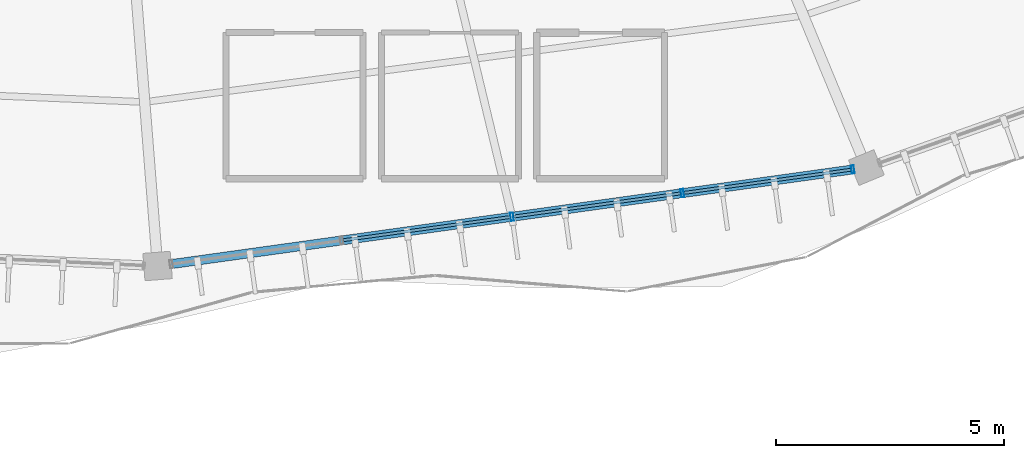
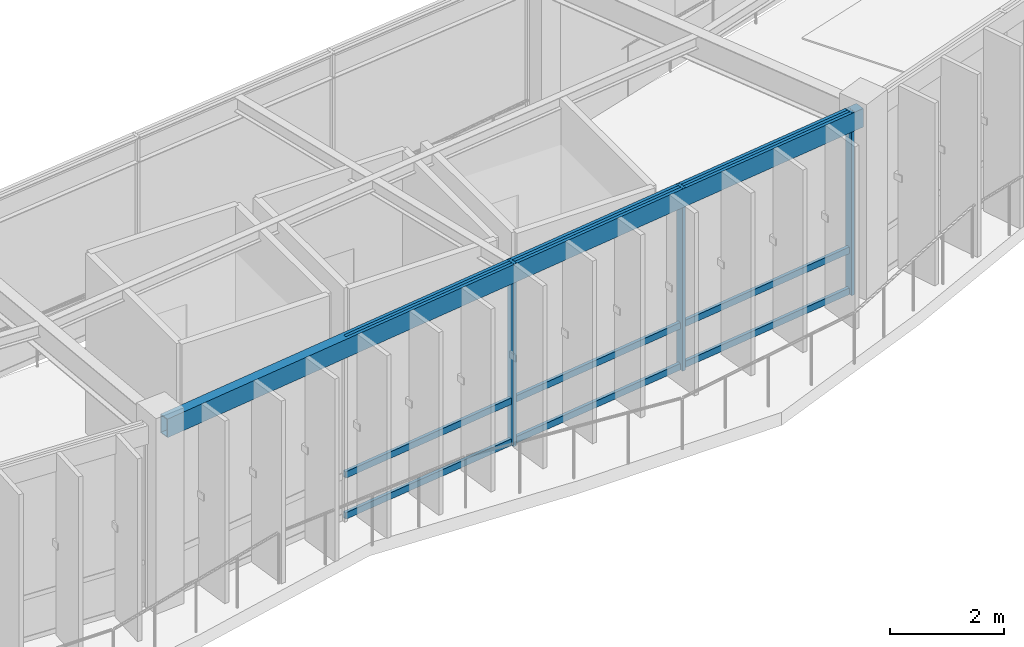
# One storey, part 11 of 83: 12 members, 1 beam, 1 element without a shape of its own.
"""IFC4 building model written with IfcOpenShell, lengths in metres."""

from ifc_helpers import new_model, si_unit, direction, frame, origin, origin_2d, place, context, subcontext, project, spatial, hollow_rectangle, extrude, material, material_profile, profile_set, type_object, element, aggregate, save


model = new_model("IFC4")

# Units and contexts
model_context = context("Model", 3, precision=1e-05, world=origin(), true_north=direction((0.0, 1.0)))
body_context = subcontext(model_context, "Body", "Model", "MODEL_VIEW")
ifc_project = project(units=[si_unit("LENGTHUNIT", "METRE"), si_unit("AREAUNIT", "SQUARE_METRE"), si_unit("VOLUMEUNIT", "CUBIC_METRE"), si_unit("PLANEANGLEUNIT", "RADIAN"), si_unit("MASSUNIT", "GRAM", prefix="KILO"), si_unit("THERMODYNAMICTEMPERATUREUNIT", "KELVIN"), si_unit("POWERUNIT", "WATT")], contexts=[model_context])

# Site, building, storey
site_placement = place(None, origin())
site = spatial("IfcSite", under=ifc_project, at=site_placement, CompositionType="ELEMENT")
building_placement = place(site_placement, origin())
building = spatial("IfcBuilding", under=site, at=building_placement, Name="Darbajah Civic Hall", CompositionType="ELEMENT")
storey_placement = place(building_placement, frame((0.0, 0.0, 18.0)))
storey = spatial("IfcBuildingStorey", under=building, at=storey_placement, Name="L04", CompositionType="ELEMENT", Elevation=18.0)

# Curtain wall, members
ifc_material_1 = material(Name="Anodised Bronze Aluminium and Low-E Glazing", Category="aluminium")
curtain_wall_type = type_object("IfcCurtainWallType", Name="Unitised Curtain Wall CW-72 15100x3900", PredefinedType="USERDEFINED", material=ifc_material_1)
curtain_wall_placement = place(storey_placement, origin())
curtain_wall = element("IfcCurtainWall", 1, at=curtain_wall_placement, inside=storey, type_object=curtain_wall_type, Name="L04 unitised curtain wall CW-V1O-L04-15", ObjectType="UNITISED CURTAIN WALL", PredefinedType="USERDEFINED")
ifc_material_2 = material(Name="Anodised Bronze Aluminium", Category="aluminium")
ifc_material_profile_1 = material_profile(ifc_material_2, hollow_rectangle(XDim=0.06494140625, YDim=0.179931640625, WallThickness=0.00390625, at=origin_2d()), Name="ALU MULLION 65x180")
ifc_profile_set_1 = profile_set([ifc_material_profile_1], Name="Anodised Bronze Aluminium")
member_type_1 = type_object("IfcMemberType", Name="ALU MULLION 65x180", PredefinedType="MULLION", material=ifc_profile_set_1)
member_1_placement = place(storey_placement, frame((100.859130859375, 61.46826171875, 0.0), z_axis=(0.0, 0.0, 1.0), x_axis=(0.990485459553, 0.137617420457, 0.0)))
member_1 = element("IfcMember", 2, at=member_1_placement, type_object=member_type_1, Name="CW-V1O-L04-15 mullion 3", PredefinedType="MULLION", context=body_context, shape_type="SweptSolid", body=[
    extrude(hollow_rectangle(XDim=0.06494140625, YDim=0.179931640625, WallThickness=0.00390625, at=origin_2d()), origin(), (0.0, 0.0, 1.0), 3.919921875),
])
member_2_placement = place(storey_placement, frame((104.58837890625, 61.986083984375, 0.0), z_axis=(0.0, 0.0, 1.0), x_axis=(0.990485459553, 0.137617420457, 0.0)))
member_2 = element("IfcMember", 3, at=member_2_placement, type_object=member_type_1, Name="CW-V1O-L04-15 mullion 4", PredefinedType="MULLION", context=body_context, shape_type="SweptSolid", body=[
    extrude(hollow_rectangle(XDim=0.06494140625, YDim=0.179931640625, WallThickness=0.00390625, at=origin_2d()), origin(), (0.0, 0.0, 1.0), 3.919921875),
])
member_3_placement = place(storey_placement, frame((108.31787109375, 62.504150390625, 0.0), z_axis=(0.0, 0.0, 1.0), x_axis=(0.990485459553, 0.137617420457, 0.0)))
member_3 = element("IfcMember", 4, at=member_3_placement, type_object=member_type_1, Name="CW-V1O-L04-15 mullion 5", PredefinedType="MULLION", context=body_context, shape_type="SweptSolid", body=[
    extrude(hollow_rectangle(XDim=0.06494140625, YDim=0.179931640625, WallThickness=0.00390625, at=origin_2d()), origin(), (0.0, 0.0, 1.0), 3.919921875),
])
ifc_material_profile_2 = material_profile(ifc_material_2, hollow_rectangle(XDim=0.06494140625, YDim=0.139892578125, WallThickness=0.00341796875, at=origin_2d()), Name="ALU TRANSOM 65x140")
ifc_profile_set_2 = profile_set([ifc_material_profile_2], Name="Anodised Bronze Aluminium")
member_type_2 = type_object("IfcMemberType", Name="ALU TRANSOM 65x140", PredefinedType="USERDEFINED", material=ifc_profile_set_2)
member_4_placement = place(storey_placement, frame((97.1669921875, 60.95556640625, 0.070068359375), z_axis=(0.990495027597, 0.137548537998, 0.0), x_axis=(-0.137548537998, 0.990495027597, 0.0)))
member_4 = element("IfcMember", 5, at=member_4_placement, type_object=member_type_2, Name="CW-V1O-L04-15 transom 2.1", ObjectType="TRANSOM", PredefinedType="USERDEFINED", context=body_context, shape_type="SweptSolid", body=[
    extrude(hollow_rectangle(XDim=0.06494140625, YDim=0.139892578125, WallThickness=0.00341796875, at=origin_2d()), origin(), (0.0, 0.0, 1.0), 3.690185546875),
])
member_5_placement = place(storey_placement, frame((97.1669921875, 60.95556640625, 0.949951171875), z_axis=(0.990495027597, 0.137548537998, 0.0), x_axis=(-0.137548537998, 0.990495027597, 0.0)))
member_5 = element("IfcMember", 6, at=member_5_placement, type_object=member_type_2, Name="CW-V1O-L04-15 transom 2.2", ObjectType="TRANSOM", PredefinedType="USERDEFINED", context=body_context, shape_type="SweptSolid", body=[
    extrude(hollow_rectangle(XDim=0.06494140625, YDim=0.139892578125, WallThickness=0.00341796875, at=origin_2d()), origin(), (0.0, 0.0, 1.0), 3.690185546875),
])
member_6_placement = place(storey_placement, frame((97.1669921875, 60.95556640625, 3.85009765625), z_axis=(0.990495027597, 0.137548537998, 0.0), x_axis=(-0.137548537998, 0.990495027597, 0.0)))
member_6 = element("IfcMember", 7, at=member_6_placement, type_object=member_type_2, Name="CW-V1O-L04-15 transom 2.3", ObjectType="TRANSOM", PredefinedType="USERDEFINED", context=body_context, shape_type="SweptSolid", body=[
    extrude(hollow_rectangle(XDim=0.06494140625, YDim=0.139892578125, WallThickness=0.00341796875, at=origin_2d()), origin(), (0.0, 0.0, 1.0), 3.690185546875),
])
member_7_placement = place(storey_placement, frame((100.896240234375, 61.473388671875, 0.070068359375), z_axis=(0.990495027597, 0.137548537998, 0.0), x_axis=(-0.137548537998, 0.990495027597, 0.0)))
member_7 = element("IfcMember", 8, at=member_7_placement, type_object=member_type_2, Name="CW-V1O-L04-15 transom 3.1", ObjectType="TRANSOM", PredefinedType="USERDEFINED", context=body_context, shape_type="SweptSolid", body=[
    extrude(hollow_rectangle(XDim=0.06494140625, YDim=0.139892578125, WallThickness=0.00341796875, at=origin_2d()), origin(), (0.0, 0.0, 1.0), 3.690185546875),
])
member_8_placement = place(storey_placement, frame((100.896240234375, 61.473388671875, 0.949951171875), z_axis=(0.990495027597, 0.137548537998, 0.0), x_axis=(-0.137548537998, 0.990495027597, 0.0)))
member_8 = element("IfcMember", 9, at=member_8_placement, type_object=member_type_2, Name="CW-V1O-L04-15 transom 3.2", ObjectType="TRANSOM", PredefinedType="USERDEFINED", context=body_context, shape_type="SweptSolid", body=[
    extrude(hollow_rectangle(XDim=0.06494140625, YDim=0.139892578125, WallThickness=0.00341796875, at=origin_2d()), origin(), (0.0, 0.0, 1.0), 3.690185546875),
])
member_9_placement = place(storey_placement, frame((100.896240234375, 61.473388671875, 3.85009765625), z_axis=(0.990495027597, 0.137548537998, 0.0), x_axis=(-0.137548537998, 0.990495027597, 0.0)))
member_9 = element("IfcMember", 10, at=member_9_placement, type_object=member_type_2, Name="CW-V1O-L04-15 transom 3.3", ObjectType="TRANSOM", PredefinedType="USERDEFINED", context=body_context, shape_type="SweptSolid", body=[
    extrude(hollow_rectangle(XDim=0.06494140625, YDim=0.139892578125, WallThickness=0.00341796875, at=origin_2d()), origin(), (0.0, 0.0, 1.0), 3.690185546875),
])
member_10_placement = place(storey_placement, frame((104.62548828125, 61.9912109375, 0.070068359375), z_axis=(0.990496279212, 0.137539524745, 0.0), x_axis=(-0.137539524745, 0.990496279212, 0.0)))
member_10 = element("IfcMember", 11, at=member_10_placement, type_object=member_type_2, Name="CW-V1O-L04-15 transom 4.1", ObjectType="TRANSOM", PredefinedType="USERDEFINED", context=body_context, shape_type="SweptSolid", body=[
    extrude(hollow_rectangle(XDim=0.06494140625, YDim=0.139892578125, WallThickness=0.00341796875, at=origin_2d()), origin(), (0.0, 0.0, 1.0), 3.6904296875),
])
member_11_placement = place(storey_placement, frame((104.62548828125, 61.9912109375, 0.949951171875), z_axis=(0.990496279212, 0.137539524745, 0.0), x_axis=(-0.137539524745, 0.990496279212, 0.0)))
member_11 = element("IfcMember", 12, at=member_11_placement, type_object=member_type_2, Name="CW-V1O-L04-15 transom 4.2", ObjectType="TRANSOM", PredefinedType="USERDEFINED", context=body_context, shape_type="SweptSolid", body=[
    extrude(hollow_rectangle(XDim=0.06494140625, YDim=0.139892578125, WallThickness=0.00341796875, at=origin_2d()), origin(), (0.0, 0.0, 1.0), 3.6904296875),
])
member_12_placement = place(storey_placement, frame((104.62548828125, 61.9912109375, 3.85009765625), z_axis=(0.990496279212, 0.137539524745, 0.0), x_axis=(-0.137539524745, 0.990496279212, 0.0)))
member_12 = element("IfcMember", 13, at=member_12_placement, type_object=member_type_2, Name="CW-V1O-L04-15 transom 4.3", ObjectType="TRANSOM", PredefinedType="USERDEFINED", context=body_context, shape_type="SweptSolid", body=[
    extrude(hollow_rectangle(XDim=0.06494140625, YDim=0.139892578125, WallThickness=0.00341796875, at=origin_2d()), origin(), (0.0, 0.0, 1.0), 3.6904296875),
])
aggregate(curtain_wall, [member_1, member_2, member_3, member_4, member_5, member_6, member_7, member_8, member_9, member_10, member_11, member_12])

# Beam
ifc_material_3 = material(Name="Steel S355JR", Category="steel")
ifc_material_profile_3 = material_profile(ifc_material_3, hollow_rectangle(XDim=0.199951171875, YDim=0.39990234375, WallThickness=0.013916015625, at=origin_2d()), Name="RHS 400x200x14")
ifc_profile_set_3 = profile_set([ifc_material_profile_3], Name="Steel S355JR")
beam_type = type_object("IfcBeamType", Name="RHS 400x200x14", PredefinedType="SPANDREL", material=ifc_profile_set_3)
beam_placement = place(storey_placement, frame((93.1806640625, 60.40185546875, 3.719970703125), z_axis=(0.990493107575, 0.137562363482, 0.0), x_axis=(-0.137562363482, 0.990493107575, 0.0)))
element("IfcBeam", 14, at=beam_placement, inside=storey, type_object=beam_type, Name="L04 beam SP-RHS400", PredefinedType="SPANDREL", context=body_context, shape_type="SweptSolid", body=[
    extrude(hollow_rectangle(XDim=0.199951171875, YDim=0.39990234375, WallThickness=0.013916015625, at=origin_2d()), origin(), (0.0, 0.0, 1.0), 15.50439453125),
])

save(model, "model.ifc")
